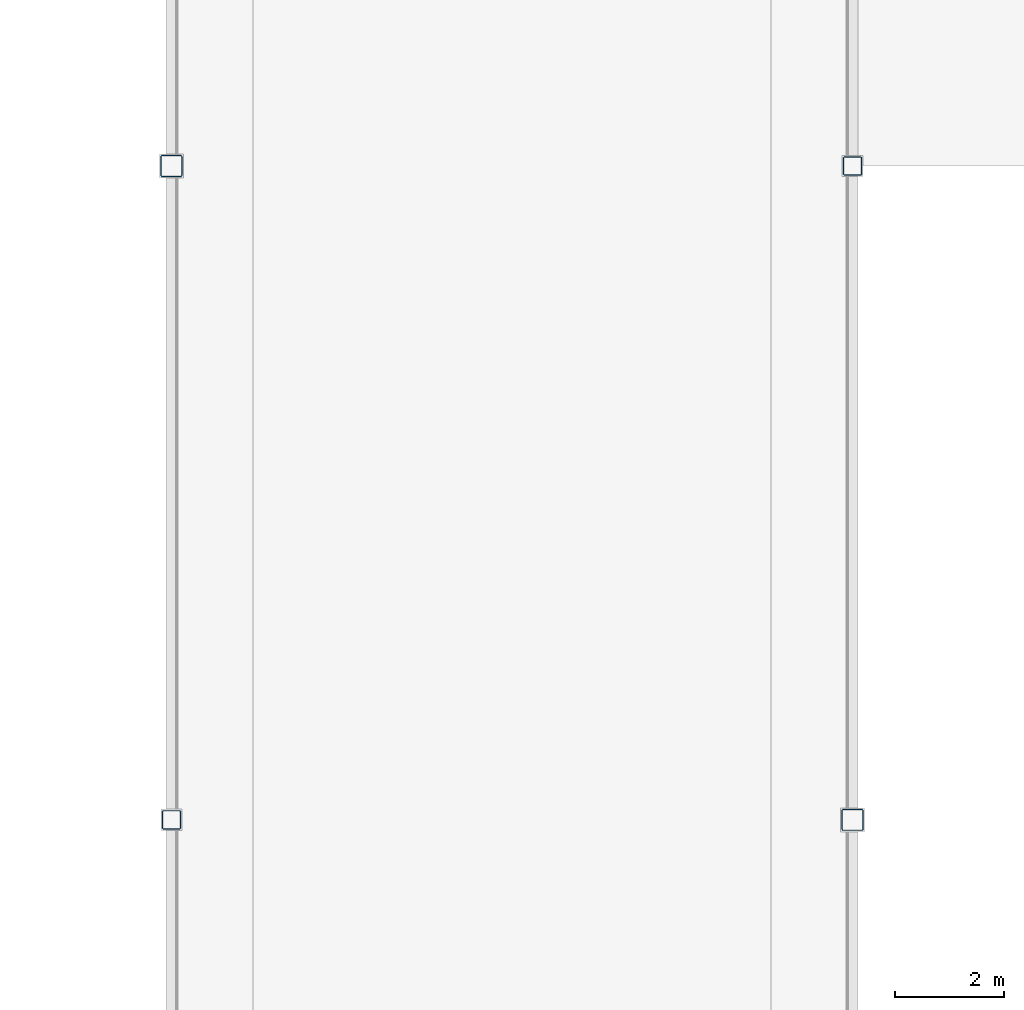
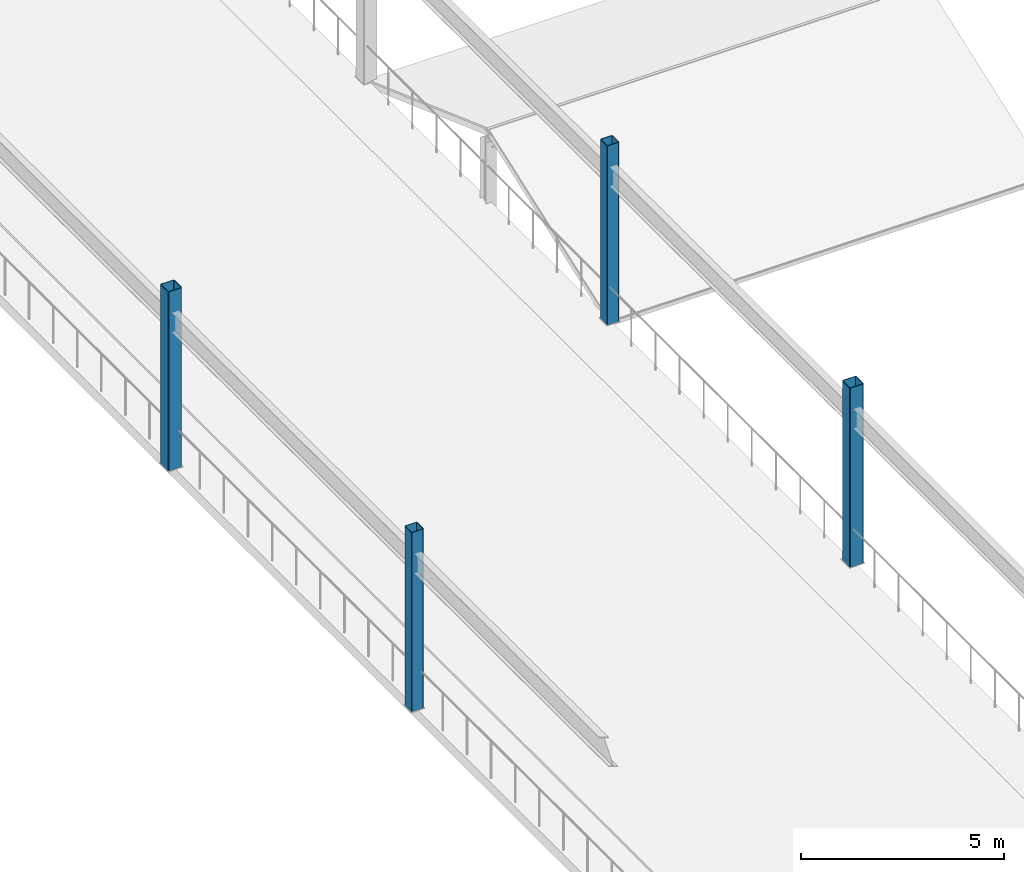
# One storey, part 16 of 105: 4 columns.
"""IFC4 building model written with IfcOpenShell, lengths in metres."""

from ifc_helpers import new_model, si_unit, direction, frame, origin, origin_2d, place, context, subcontext, project, spatial, hollow_rectangle, extrude, material, material_profile, profile_set, type_object, element, save


model = new_model("IFC4")

# Units and contexts
model_context = context("Model", 3, precision=1e-05, world=origin(), true_north=direction((0.0, 1.0)))
body_context = subcontext(model_context, "Body", "Model", "MODEL_VIEW")
ifc_project = project(units=[si_unit("LENGTHUNIT", "METRE"), si_unit("AREAUNIT", "SQUARE_METRE"), si_unit("VOLUMEUNIT", "CUBIC_METRE"), si_unit("PLANEANGLEUNIT", "RADIAN"), si_unit("MASSUNIT", "GRAM", prefix="KILO")], contexts=[model_context])

# Site, building, storey
site_placement = place(None, origin())
site = spatial("IfcSite", under=ifc_project, at=site_placement, CompositionType="ELEMENT")
building_placement = place(site_placement, origin())
building = spatial("IfcBuilding", under=site, at=building_placement, Name="Kazenohara Klinker Stadium", CompositionType="ELEMENT")
storey_placement = place(building_placement, frame((0.0, 0.0, 20.39990234375)))
storey = spatial("IfcBuildingStorey", under=building, at=storey_placement, Name="L04", CompositionType="ELEMENT", Elevation=20.39990234375)

# Columns
ifc_material = material(Name="Steel S355", Category="steel")
ifc_material_profile_1 = material_profile(ifc_material, hollow_rectangle(XDim=0.39990234375, YDim=0.39990234375, WallThickness=0.01611328125, InnerFilletRadius=0.01611328125, OuterFilletRadius=0.031982421875, at=origin_2d()), Name="SHS-400x400x16")
ifc_profile_set_1 = profile_set([ifc_material_profile_1], Name="Steel S355")
column_type_1 = type_object("IfcColumnType", Name="COL-ST01", PredefinedType="COLUMN", material=ifc_profile_set_1)
for number, where, z_axis, x_axis, name in (
    (1, (175.0, 96.0, 0.0), (0.0, 0.0, 1.0), (1.0, 0.0, 0.0), "Canopy ring support column SC01 L04 15/J"),
    (2, (187.5, 84.0, 0.0), (0.0, 0.0, 1.0), (1.0, 0.0, 0.0), "Canopy ring support column SC01 L04 16/H"),
):
    element("IfcColumn", number, at=place(storey_placement, frame(where, z_axis=z_axis, x_axis=x_axis)), inside=storey, type_object=column_type_1, Name=name, PredefinedType="COLUMN", context=body_context, shape_type="SweptSolid", body=[
        extrude(hollow_rectangle(XDim=0.39990234375, YDim=0.39990234375, WallThickness=0.01611328125, InnerFilletRadius=0.01611328125, OuterFilletRadius=0.031982421875, at=origin_2d()), origin(), (0.0, 0.0, 1.0), 5.400146484375),
    ])
ifc_material_profile_2 = material_profile(ifc_material, hollow_rectangle(XDim=0.35009765625, YDim=0.35009765625, WallThickness=0.01611328125, InnerFilletRadius=0.01611328125, OuterFilletRadius=0.031982421875, at=origin_2d()), Name="SHS-350x350x16")
ifc_profile_set_2 = profile_set([ifc_material_profile_2], Name="Steel S355")
column_type_2 = type_object("IfcColumnType", Name="COL-ST02", PredefinedType="COLUMN", material=ifc_profile_set_2)
for number, where, z_axis, x_axis, name in (
    (3, (175.0, 84.0, 0.0), (0.0, 0.0, 1.0), (1.0, 0.0, 0.0), "Canopy ring support column SC02 L04 15/H"),
    (4, (187.5, 96.0, 0.0), (0.0, 0.0, 1.0), (1.0, 0.0, 0.0), "Canopy ring support column SC02 L04 16/J"),
):
    element("IfcColumn", number, at=place(storey_placement, frame(where, z_axis=z_axis, x_axis=x_axis)), inside=storey, type_object=column_type_2, Name=name, PredefinedType="COLUMN", context=body_context, shape_type="SweptSolid", body=[
        extrude(hollow_rectangle(XDim=0.35009765625, YDim=0.35009765625, WallThickness=0.01611328125, InnerFilletRadius=0.01611328125, OuterFilletRadius=0.031982421875, at=origin_2d()), origin(), (0.0, 0.0, 1.0), 5.400146484375),
    ])

save(model, "model.ifc")
